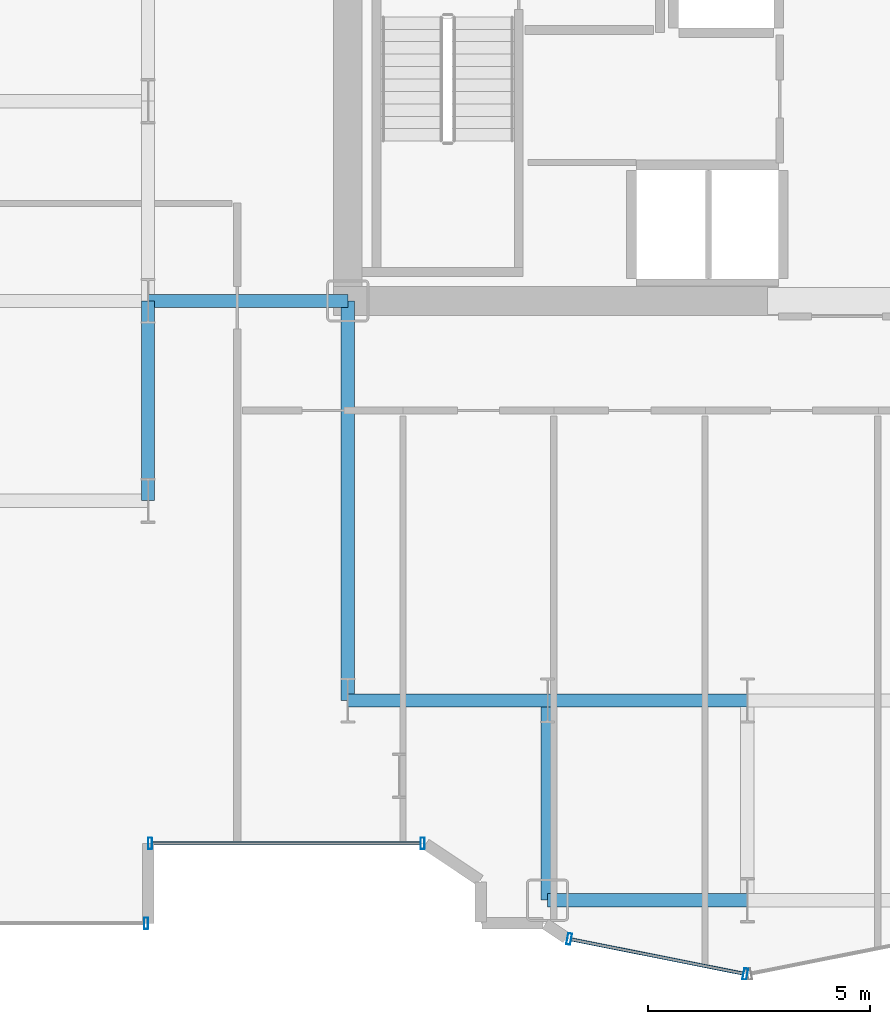
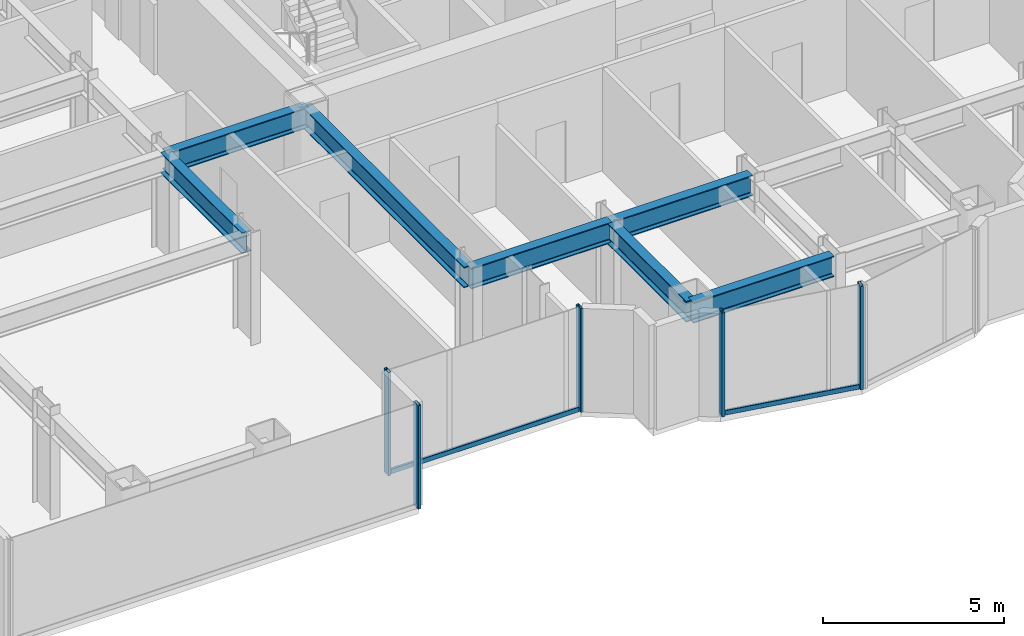
# One storey, part 4 of 26: 7 beams, 7 members, 3 elements without a shape of their own.
"""IFC4 building model written with IfcOpenShell, lengths in metres."""

from ifc_helpers import new_model, si_unit, direction, frame, origin, origin_2d, place, context, subcontext, project, spatial, hollow_rectangle, i_section, extrude, source, transform, mapped, material, layer, layer_set, material_profile, profile_set, type_object, element, aggregate, save


model = new_model("IFC4")

# Units and contexts
model_context = context("Model", 3, precision=1e-05, world=origin(), true_north=direction((0.0, 1.0)))
body_context = subcontext(model_context, "Body", "Model", "MODEL_VIEW")
ifc_project = project(units=[si_unit("LENGTHUNIT", "METRE"), si_unit("AREAUNIT", "SQUARE_METRE"), si_unit("VOLUMEUNIT", "CUBIC_METRE"), si_unit("PLANEANGLEUNIT", "RADIAN"), si_unit("MASSUNIT", "GRAM", prefix="KILO")], contexts=[model_context])

# Site, building, storey
site_placement = place(None, origin())
site = spatial("IfcSite", under=ifc_project, at=site_placement, CompositionType="ELEMENT")
building_placement = place(site_placement, origin())
building = spatial("IfcBuilding", under=site, at=building_placement, Name="Nefas-Gora Pilgrimage Tower", CompositionType="ELEMENT")
storey_placement = place(building_placement, frame((0.0, 0.0, 82.39990234375)))
storey = spatial("IfcBuildingStorey", under=building, at=storey_placement, Name="L19", CompositionType="ELEMENT", Elevation=82.39990234375)

# Beams
ifc_material_1 = material(Name="Steel S355", Category="steel")
ifc_material_profile_1 = material_profile(ifc_material_1, i_section(OverallWidth=0.300048828125, OverallDepth=0.699951171875, WebThickness=0.01708984375, FlangeThickness=0.031982421875, FilletRadius=0.027099609375, at=origin_2d()), Name="HEB 700")
ifc_profile_set_1 = profile_set([ifc_material_profile_1], Name="Steel S355")
beam_type = type_object("IfcBeamType", Name="BM-GIR-HEB700", PredefinedType="BEAM", material=ifc_profile_set_1)
shared_shape_1 = source(origin(), body_context, "Body", "SweptSolid", [
    extrude(i_section(OverallWidth=0.300048828125, OverallDepth=0.699951171875, WebThickness=0.01708984375, FlangeThickness=0.031982421875, FilletRadius=0.027099609375, at=origin_2d()), origin(), (0.0, 0.0, 1.0), 9.0),
])
beam_placement = place(storey_placement, frame((-11.25, -18.0, 3.150146484375), z_axis=(0.0, 1.0, 0.0), x_axis=(-1.0, 0.0, 0.0)))
element("IfcBeam", 1, at=beam_placement, inside=storey, type_object=beam_type, Name="L19 G-02 beam", PredefinedType="BEAM", context=body_context, shape_type="MappedRepresentation", body=[
    mapped(shared_shape_1, transform((0.0, 0.0, 0.0), x_axis=(1.0, 0.0, 0.0), y_axis=(0.0, 1.0, 0.0), z_axis=(0.0, 0.0, 1.0), scale=1.0)),
])
shared_shape_2 = source(origin(), body_context, "Body", "SweptSolid", [
    extrude(i_section(OverallWidth=0.300048828125, OverallDepth=0.699951171875, WebThickness=0.01708984375, FlangeThickness=0.031982421875, FilletRadius=0.027099609375, at=origin_2d()), origin(), (0.0, 0.0, 1.0), 4.5),
])
for number, where, z_axis, x_axis, name in (
    (2, (-15.75, -13.5, 3.150146484375), (0.0, 1.0, 0.0), (-1.0, 0.0, 0.0), "L19 G-02 beam"),
    (3, (-15.75, -9.0, 3.150146484375), (1.0, 0.0, 0.0), (0.0, 1.0, 0.0), "L19 G-02 beam"),
    (4, (-11.25, -18.0, 3.150146484375), (1.0, 0.0, 0.0), (0.0, 1.0, 0.0), "L19 G-02 beam"),
    (5, (-6.75, -22.5, 3.150146484375), (0.0, 1.0, 0.0), (-1.0, 0.0, 0.0), "L19 G-02 beam"),
    (6, (-6.75, -22.5, 3.150146484375), (1.0, 0.0, 0.0), (0.0, 1.0, 0.0), "L19 G-02 beam"),
    (7, (-6.75, -18.0, 3.150146484375), (1.0, 0.0, 0.0), (0.0, 1.0, 0.0), "L19 G-02 beam"),
):
    element("IfcBeam", number, at=place(storey_placement, frame(where, z_axis=z_axis, x_axis=x_axis)), inside=storey, type_object=beam_type, Name=name, PredefinedType="BEAM", context=body_context, shape_type="MappedRepresentation", body=[
        mapped(shared_shape_2, transform((0.0, 0.0, 0.0), x_axis=(1.0, 0.0, 0.0), y_axis=(0.0, 1.0, 0.0), z_axis=(0.0, 0.0, 1.0), scale=1.0)),
    ])

# Curtain wall, member
ifc_material_2 = material(Name="Dark ceramic-fritted solar-control aluminium-glass curtain wall", Category="aluminium")
ifc_layer_1 = layer(ifc_material_2, 0.219970703125)
ifc_layer_set_1 = layer_set([ifc_layer_1], Name="Dark ceramic-fritted solar-control aluminium-glass curtain wall")
curtain_wall_type_1 = type_object("IfcCurtainWallType", Name="CW-SYS-5", PredefinedType="NOTDEFINED", material=ifc_layer_set_1)
curtain_wall_1_placement = place(storey_placement, origin())
curtain_wall_1 = element("IfcCurtainWall", 8, at=curtain_wall_1_placement, inside=storey, type_object=curtain_wall_type_1, Name="L19 Unitised Curtain Wall CW5", PredefinedType="NOTDEFINED")
ifc_material_3 = material(Name="Anodised architectural aluminium", Category="aluminium")
ifc_material_profile_2 = material_profile(ifc_material_3, hollow_rectangle(XDim=0.080078125, YDim=0.159912109375, WallThickness=0.00439453125, InnerFilletRadius=0.00439453125, OuterFilletRadius=0.009033203125, at=origin_2d()), Name="ALU TRANSOM 80x160")
ifc_profile_set_2 = profile_set([ifc_material_profile_2], Name="Anodised architectural aluminium")
member_type_1 = type_object("IfcMemberType", Name="CWM-TRN-5", PredefinedType="USERDEFINED", material=ifc_profile_set_2)
shared_shape_3 = source(origin(), body_context, "Body", "SweptSolid", [
    extrude(hollow_rectangle(XDim=0.080078125, YDim=0.159912109375, WallThickness=0.00439453125, InnerFilletRadius=0.00439453125, OuterFilletRadius=0.009033203125, at=origin_2d()), origin(), (0.0, 0.0, 1.0), 6.052001953125),
])
member_1_placement = place(storey_placement, frame((-15.659912109375, -21.219970703125, 0.050048828125), z_axis=(1.0, 0.0, 0.0), x_axis=(0.0, 1.0, 0.0)))
member_1 = element("IfcMember", 9, at=member_1_placement, type_object=member_type_1, Name="CW5 Spandrel Transom", ObjectType="TRANSOM", PredefinedType="USERDEFINED", context=body_context, shape_type="MappedRepresentation", body=[
    mapped(shared_shape_3, transform((0.0, 0.0, 0.0), x_axis=(1.0, 0.0, 0.0), y_axis=(0.0, 1.0, 0.0), z_axis=(0.0, 0.0, 1.0), scale=1.0)),
])

curtain_wall_2_placement = place(storey_placement, origin())
curtain_wall_2 = element("IfcCurtainWall", 10, at=curtain_wall_2_placement, inside=storey, type_object=curtain_wall_type_1, Name="L19 Unitised Curtain Wall CW5", PredefinedType="NOTDEFINED")
shared_shape_4 = source(origin(), body_context, "Body", "SweptSolid", [
    extrude(hollow_rectangle(XDim=0.080078125, YDim=0.159912109375, WallThickness=0.00439453125, InnerFilletRadius=0.00439453125, OuterFilletRadius=0.009033203125, at=origin_2d()), origin(), (0.0, 0.0, 1.0), 3.95654296875),
])
member_2_placement = place(storey_placement, frame((-6.218994140625, -23.3828125, 0.050048828125), z_axis=(0.980781880918, -0.195107411605, 0.0), x_axis=(0.195107411605, 0.980781880918, 0.0)))
member_2 = element("IfcMember", 11, at=member_2_placement, type_object=member_type_1, Name="CW5 Spandrel Transom", ObjectType="TRANSOM", PredefinedType="USERDEFINED", context=body_context, shape_type="MappedRepresentation", body=[
    mapped(shared_shape_4, transform((0.0, 0.0, 0.0), x_axis=(1.0, 0.0, 0.0), y_axis=(0.0, 1.0, 0.0), z_axis=(0.0, 0.0, 1.0), scale=1.0)),
])

# Member
ifc_material_profile_3 = material_profile(ifc_material_3, hollow_rectangle(XDim=0.090087890625, YDim=0.260009765625, WallThickness=0.006103515625, InnerFilletRadius=0.006103515625, OuterFilletRadius=0.011962890625, at=origin_2d()), Name="ALU MULLION 90x260")
ifc_profile_set_3 = profile_set([ifc_material_profile_3], Name="Anodised architectural aluminium")
member_type_2 = type_object("IfcMemberType", Name="CWM-MUL-5", PredefinedType="MULLION", material=ifc_profile_set_3)
shared_shape_5 = source(origin(), body_context, "Body", "SweptSolid", [
    extrude(hollow_rectangle(XDim=0.090087890625, YDim=0.260009765625, WallThickness=0.006103515625, InnerFilletRadius=0.006103515625, OuterFilletRadius=0.011962890625, at=origin_2d()), origin(), (0.0, 0.0, 1.0), 3.5),
])
member_3_placement = place(storey_placement, frame((-15.705078125, -21.219970703125, 0.0), z_axis=(0.0, 0.0, 1.0), x_axis=(1.0, 0.0, 0.0)))
member_3 = element("IfcMember", 12, at=member_3_placement, type_object=member_type_2, Name="CW5 Mullion 1", PredefinedType="MULLION", context=body_context, shape_type="MappedRepresentation", body=[
    mapped(shared_shape_5, transform((0.0, 0.0, 0.0), x_axis=(1.0, 0.0, 0.0), y_axis=(0.0, 1.0, 0.0), z_axis=(0.0, 0.0, 1.0), scale=1.0)),
])

member_4_placement = place(storey_placement, frame((-9.56298828125, -21.219970703125, 0.0), z_axis=(0.0, 0.0, 1.0), x_axis=(1.0, 0.0, 0.0)))
member_4 = element("IfcMember", 13, at=member_4_placement, type_object=member_type_2, Name="CW5 Mullion 2", PredefinedType="MULLION", context=body_context, shape_type="MappedRepresentation", body=[
    mapped(shared_shape_5, transform((0.0, 0.0, 0.0), x_axis=(1.0, 0.0, 0.0), y_axis=(0.0, 1.0, 0.0), z_axis=(0.0, 0.0, 1.0), scale=1.0)),
])

aggregate(curtain_wall_1, [member_3, member_4, member_1])

member_5_placement = place(storey_placement, frame((-6.26318359375, -23.3740234375, 0.0), z_axis=(0.0, 0.0, 1.0), x_axis=(0.980782896852, -0.195102304554, 0.0)))
member_5 = element("IfcMember", 14, at=member_5_placement, type_object=member_type_2, Name="CW5 Mullion 1", PredefinedType="MULLION", context=body_context, shape_type="MappedRepresentation", body=[
    mapped(shared_shape_5, transform((0.0, 0.0, 0.0), x_axis=(1.0, 0.0, 0.0), y_axis=(0.0, 1.0, 0.0), z_axis=(0.0, 0.0, 1.0), scale=1.0)),
])

member_6_placement = place(storey_placement, frame((-2.294189453125, -24.16357421875, 0.0), z_axis=(0.0, 0.0, 1.0), x_axis=(0.980782896852, -0.195102304554, 0.0)))
member_6 = element("IfcMember", 15, at=member_6_placement, type_object=member_type_2, Name="CW5 Mullion 2", PredefinedType="MULLION", context=body_context, shape_type="MappedRepresentation", body=[
    mapped(shared_shape_5, transform((0.0, 0.0, 0.0), x_axis=(1.0, 0.0, 0.0), y_axis=(0.0, 1.0, 0.0), z_axis=(0.0, 0.0, 1.0), scale=1.0)),
])

aggregate(curtain_wall_2, [member_5, member_6, member_2])

# Curtain wall, member
ifc_layer_2 = layer(ifc_material_2, 0.219970703125)
ifc_layer_set_2 = layer_set([ifc_layer_2], Name="Dark ceramic-fritted solar-control aluminium-glass curtain wall")
curtain_wall_type_2 = type_object("IfcCurtainWallType", Name="CW-SYS-2", PredefinedType="NOTDEFINED", material=ifc_layer_set_2)
curtain_wall_3_placement = place(storey_placement, origin())
curtain_wall_3 = element("IfcCurtainWall", 16, at=curtain_wall_3_placement, inside=storey, type_object=curtain_wall_type_2, Name="L19 Unitised Curtain Wall CW2", PredefinedType="NOTDEFINED")
ifc_material_profile_4 = material_profile(ifc_material_3, hollow_rectangle(XDim=0.090087890625, YDim=0.260009765625, WallThickness=0.006103515625, InnerFilletRadius=0.006103515625, OuterFilletRadius=0.011962890625, at=origin_2d()), Name="ALU MULLION 90x260")
ifc_profile_set_4 = profile_set([ifc_material_profile_4], Name="Anodised architectural aluminium")
member_type_3 = type_object("IfcMemberType", Name="CWM-MUL-2", PredefinedType="MULLION", material=ifc_profile_set_4)
shared_shape_6 = source(origin(), body_context, "Body", "SweptSolid", [
    extrude(hollow_rectangle(XDim=0.090087890625, YDim=0.260009765625, WallThickness=0.006103515625, InnerFilletRadius=0.006103515625, OuterFilletRadius=0.011962890625, at=origin_2d()), origin(), (0.0, 0.0, 1.0), 3.5),
])
member_7_placement = place(storey_placement, frame((-15.794921875, -23.02001953125, 0.0), z_axis=(0.0, 0.0, 1.0), x_axis=(1.0, 0.0, 0.0)))
member_7 = element("IfcMember", 17, at=member_7_placement, type_object=member_type_3, Name="CW2 Mullion 2", PredefinedType="MULLION", context=body_context, shape_type="MappedRepresentation", body=[
    mapped(shared_shape_6, transform((0.0, 0.0, 0.0), x_axis=(1.0, 0.0, 0.0), y_axis=(0.0, 1.0, 0.0), z_axis=(0.0, 0.0, 1.0), scale=1.0)),
])
aggregate(curtain_wall_3, [member_7])

save(model, "model.ifc")
